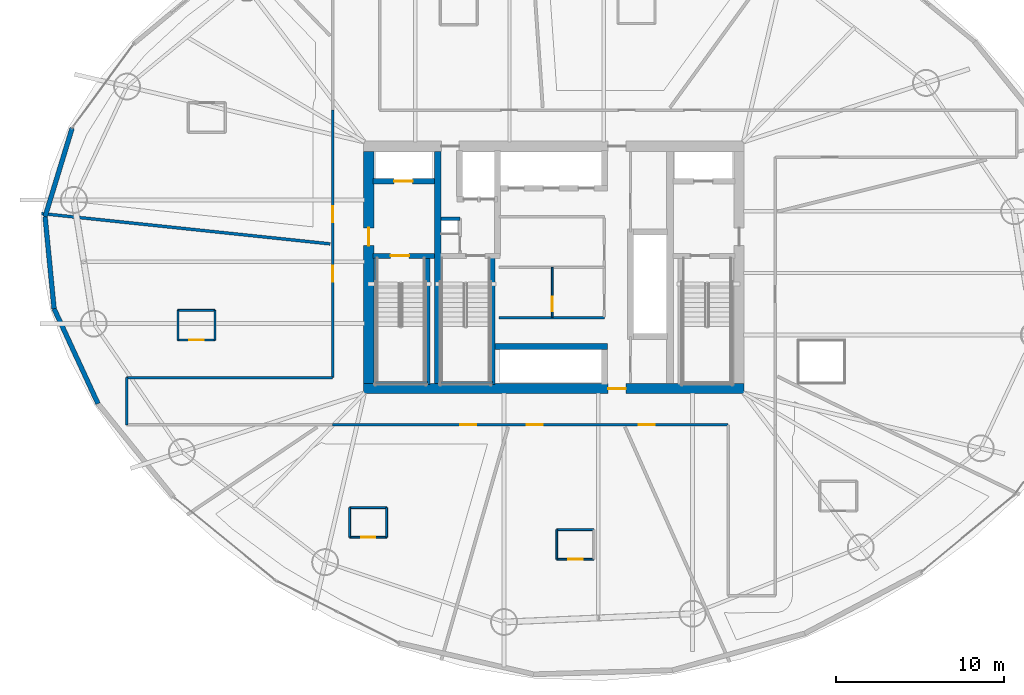
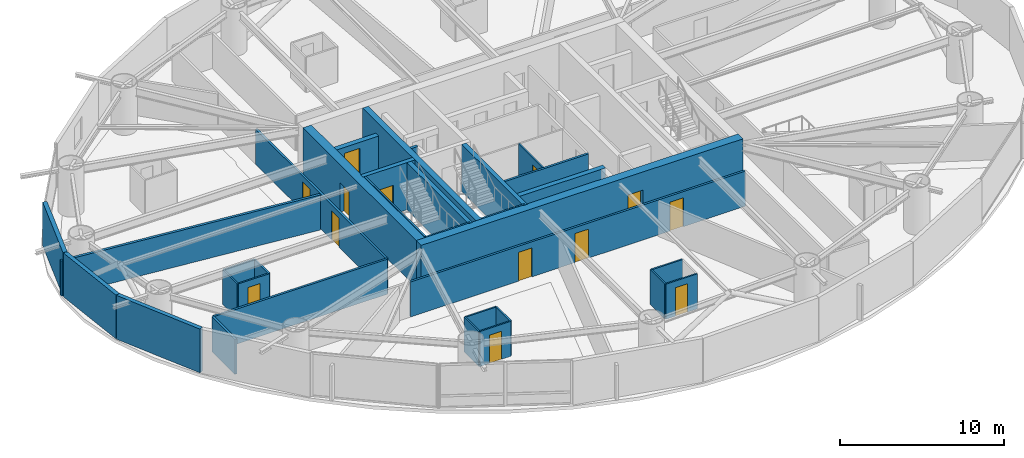
# One storey, part 14 of 20: 33 walls, 13 doors, 13 openings.
"""IFC4 building model written with IfcOpenShell, lengths in metres."""

from ifc_helpers import new_model, si_unit, direction, frame, frame_2d, origin, place, context, subcontext, project, spatial, rectangle, extrude, material, layer, layer_set, type_object, element, fill, save


model = new_model("IFC4")

# Units and contexts
model_context = context("Model", 3, precision=1e-05, world=origin(), true_north=direction((0.0, 1.0)))
body_context = subcontext(model_context, "Body", "Model", "MODEL_VIEW")
ifc_project = project(units=[si_unit("LENGTHUNIT", "METRE"), si_unit("AREAUNIT", "SQUARE_METRE"), si_unit("VOLUMEUNIT", "CUBIC_METRE"), si_unit("PLANEANGLEUNIT", "RADIAN"), si_unit("MASSUNIT", "GRAM", prefix="KILO")], contexts=[model_context])

# Site, building, storey
site_placement = place(None, origin())
site = spatial("IfcSite", under=ifc_project, at=site_placement, CompositionType="ELEMENT")
building_placement = place(site_placement, origin())
building = spatial("IfcBuilding", under=site, at=building_placement, Name="Bramvorn Convention Spire", CompositionType="ELEMENT")
storey_placement = place(building_placement, frame((0.0, 0.0, 58.89990234375)))
storey = spatial("IfcBuildingStorey", under=building, at=storey_placement, Name="L12", CompositionType="ELEMENT", Elevation=58.89990234375)

# Wall, opening, door
ifc_material_1 = material(Name="Concrete C60/70", Category="concrete")
ifc_layer_1 = layer(ifc_material_1, 0.60009765625)
ifc_layer_set_1 = layer_set([ifc_layer_1], Name="Concrete C60/70 - WL-CORE-600")
wall_type_1 = type_object("IfcWallType", Name="WL-CORE-600", PredefinedType="SHEAR", material=ifc_layer_set_1)
wall_1_placement = place(storey_placement, frame((26.699951171875, 18.800048828125, 0.0), z_axis=(0.0, 0.0, 1.0), x_axis=(1.0, 0.0, 0.0)))
wall_1 = element("IfcWall", 1, at=wall_1_placement, inside=storey, type_object=wall_type_1, Name="L12 South RC core shear wall", PredefinedType="SHEAR", context=body_context, shape_type="SweptSolid", body=[
    extrude(rectangle(XDim=22.60009765625, YDim=0.60009765625, at=frame_2d((11.300048828125, 0.0))), origin(), (0.0, 0.0, 1.0), 3.5),
])
opening_1_placement = place(wall_1_placement, frame((14.52001953125, 0.0, 0.0)))
opening_1 = element("IfcOpeningElement", 2, at=opening_1_placement, cuts=wall_1, Name="Opening DL-105", PredefinedType="OPENING", context=body_context, shape_type="SweptSolid", body=[
    extrude(rectangle(XDim=1.050048828125, YDim=2.14990234375, at=frame_2d((0.52490234375, 1.074951171875))), frame((0.0, 0.31005859375, 0.0), z_axis=(0.0, -1.0, 0.0), x_axis=(1.0, 0.0, 0.0)), (0.0, 0.0, 1.0), 0.6201171875),
])
ifc_material_2 = material(Name="Smoke-Sealed Fire Lobby Timber-Core Door", Category="wood")
door_type_1 = type_object("IfcDoorType", Name="DR-LOBBY-1050", OperationType="NOTDEFINED", PredefinedType="DOOR", material=ifc_material_2)
door_1_placement = place(opening_1_placement, origin())
door_1 = element("IfcDoor", 3, at=door_1_placement, inside=storey, type_object=door_type_1, Name="L12 South Lift Lobby fire door", OperationType="SINGLE_SWING_RIGHT", OverallHeight=2.14990234375, OverallWidth=1.050048828125, PredefinedType="DOOR", context=body_context, shape_type="SweptSolid", body=[
    extrude(rectangle(XDim=1.050048828125, YDim=2.14990234375, at=frame_2d((0.52490234375, 1.074951171875))), frame((0.0, 0.02490234375, 0.0), z_axis=(0.0, -1.0, 0.0), x_axis=(1.0, 0.0, 0.0)), (0.0, 0.0, 1.0), 0.050048828125),
])
fill(opening_1, door_1)

wall_2_placement = place(storey_placement, frame((27.0, 19.10009765625, 0.0), z_axis=(0.0, 0.0, 1.0), x_axis=(0.0, 1.0, 0.0)))
wall_2 = element("IfcWall", 4, at=wall_2_placement, inside=storey, type_object=wall_type_1, Name="L12 West RC core shear wall", PredefinedType="SHEAR", context=body_context, shape_type="SweptSolid", body=[
    extrude(rectangle(XDim=13.7998046875, YDim=0.60009765625, at=frame_2d((6.89990234375, 0.0))), origin(), (0.0, 0.0, 1.0), 3.5),
])
opening_2_placement = place(wall_2_placement, frame((8.199951171875, 0.0, 0.0)))
opening_2 = element("IfcOpeningElement", 5, at=opening_2_placement, cuts=wall_2, Name="Opening DL-105", PredefinedType="OPENING", context=body_context, shape_type="SweptSolid", body=[
    extrude(rectangle(XDim=1.050048828125, YDim=2.14990234375, at=frame_2d((0.52490234375, 1.074951171875))), frame((0.0, 0.31005859375, 0.0), z_axis=(0.0, -1.0, 0.0), x_axis=(1.0, 0.0, 0.0)), (0.0, 0.0, 1.0), 0.6201171875),
])
door_2_placement = place(opening_2_placement, origin())
door_2 = element("IfcDoor", 6, at=door_2_placement, inside=storey, type_object=door_type_1, Name="L12 West Firefighting Lobby corridor door", OperationType="SINGLE_SWING_RIGHT", OverallHeight=2.14990234375, OverallWidth=1.050048828125, PredefinedType="DOOR", context=body_context, shape_type="SweptSolid", body=[
    extrude(rectangle(XDim=1.050048828125, YDim=2.14990234375, at=frame_2d((0.52490234375, 1.074951171875))), frame((0.0, 0.02490234375, 0.0), z_axis=(0.0, -1.0, 0.0), x_axis=(1.0, 0.0, 0.0)), (0.0, 0.0, 1.0), 0.050048828125),
])
fill(opening_2, door_2)

ifc_material_3 = material(Name="Concrete C50/60", Category="concrete")
ifc_layer_2 = layer(ifc_material_3, 0.35009765625)
ifc_layer_set_2 = layer_set([ifc_layer_2], Name="Concrete C50/60 - WL-CORE-INT-350")
wall_type_2 = type_object("IfcWallType", Name="WL-CORE-INT-350", PredefinedType="SHEAR", material=ifc_layer_set_2)
wall_3_placement = place(storey_placement, frame((27.25, 31.1201171875, 0.0), z_axis=(0.0, 0.0, 1.0), x_axis=(1.0, 0.0, 0.0)))
wall_3 = element("IfcWall", 7, at=wall_3_placement, inside=storey, type_object=wall_type_2, Name="L12 FE1 shaft front wall", PredefinedType="SHEAR", context=body_context, shape_type="SweptSolid", body=[
    extrude(rectangle(XDim=3.669921875, YDim=0.35009765625, at=frame_2d((1.8349609375, 0.0))), origin(), (0.0, 0.0, 1.0), 2.60009765625),
])
opening_3_placement = place(wall_3_placement, frame((1.25, 0.0, 0.0)))
opening_3 = element("IfcOpeningElement", 8, at=opening_3_placement, cuts=wall_3, Name="Opening LD-110", PredefinedType="OPENING", context=body_context, shape_type="SweptSolid", body=[
    extrude(rectangle(XDim=1.10009765625, YDim=2.14990234375, at=frame_2d((0.550048828125, 1.074951171875))), frame((0.0, 0.18505859375, 0.0), z_axis=(0.0, -1.0, 0.0), x_axis=(1.0, 0.0, 0.0)), (0.0, 0.0, 1.0), 0.3701171875),
])
ifc_material_4 = material(Name="Firefighting & Service Lift Sliding Landing Door", Category="steel")
door_type_2 = type_object("IfcDoorType", Name="DR-LIFT-LD-1100", OperationType="NOTDEFINED", PredefinedType="DOOR", material=ifc_material_4)
door_3_placement = place(opening_3_placement, origin())
door_3 = element("IfcDoor", 9, at=door_3_placement, inside=storey, type_object=door_type_2, Name="L12 Lift FE1 Sliding Landing Door", OperationType="SLIDING_TO_LEFT", OverallHeight=2.14990234375, OverallWidth=1.10009765625, PredefinedType="DOOR", context=body_context, shape_type="SweptSolid", body=[
    extrude(rectangle(XDim=1.10009765625, YDim=2.14990234375, at=frame_2d((0.550048828125, 1.074951171875))), frame((0.0, 0.02490234375, 0.0), z_axis=(0.0, -1.0, 0.0), x_axis=(1.0, 0.0, 0.0)), (0.0, 0.0, 1.0), 0.050048828125),
])
fill(opening_3, door_3)

# Walls
wall_4_placement = place(storey_placement, frame((34.489990234375, 21.300048828125, 0.0), z_axis=(0.0, 0.0, 1.0), x_axis=(1.0, 0.0, 0.0)))
element("IfcWall", 10, at=wall_4_placement, inside=storey, type_object=wall_type_2, Name="L12 Mid-rise bank north landing wall", PredefinedType="SHEAR", context=body_context, shape_type="SweptSolid", body=[
    extrude(rectangle(XDim=6.679931640625, YDim=0.35009765625, at=frame_2d((3.33984375, 0.0))), origin(), (0.0, 0.0, 1.0), 2.60009765625),
])
ifc_layer_3 = layer(ifc_material_1, 0.39990234375)
ifc_layer_set_3 = layer_set([ifc_layer_3], Name="Concrete C60/70 - WL-CORE-INT-400")
wall_type_3 = type_object("IfcWallType", Name="WL-CORE-INT-400", PredefinedType="SHEAR", material=ifc_layer_set_3)
wall_5_placement = place(storey_placement, frame((31.10009765625, 19.10009765625, 0.0), z_axis=(0.0, 0.0, 1.0), x_axis=(0.0, 1.0, 0.0)))
element("IfcWall", 11, at=wall_5_placement, inside=storey, type_object=wall_type_3, Name="L12 West internal core shear web", PredefinedType="SHEAR", context=body_context, shape_type="SweptSolid", body=[
    extrude(rectangle(XDim=13.7998046875, YDim=0.39990234375, at=frame_2d((6.89990234375, 0.0))), origin(), (0.0, 0.0, 1.0), 3.5),
])
ifc_material_5 = material(Name="Precast Concrete C40/50 with Bronze Terracotta Rainscreen", Category="masonry")
ifc_layer_4 = layer(ifc_material_5, 0.300048828125)
ifc_layer_set_4 = layer_set([ifc_layer_4], Name="Precast Concrete C40/50 with Bronze Terracotta Rainscreen - WL-EXT-BRONZE-300")
wall_type_4 = type_object("IfcWallType", Name="WL-EXT-BRONZE-300", PredefinedType="SOLIDWALL", material=ifc_layer_set_4)
wall_6_placement = place(storey_placement, frame((7.770263671875, 29.017333984375, 0.0), z_axis=(0.0, 0.0, 1.0), x_axis=(0.292172276323, 0.956365704607, 0.0)))
element("IfcWall", 12, at=wall_6_placement, inside=storey, type_object=wall_type_4, Name="L12 expressed bronze Gothic lancet pier wall 12", PredefinedType="SOLIDWALL", context=body_context, shape_type="SweptSolid", body=[
    extrude(rectangle(XDim=5.49755859375, YDim=0.280029296875, at=frame_2d((2.748779296875, 0.0))), origin(), (0.0, 0.0, 1.0), 3.25),
])
wall_7_placement = place(storey_placement, frame((8.305419921875, 23.546142578125, 0.0), z_axis=(0.0, 0.0, 1.0), x_axis=(-0.097348893099, 0.995250316761, 0.0)))
element("IfcWall", 13, at=wall_7_placement, inside=storey, type_object=wall_type_4, Name="L12 expressed bronze Gothic lancet pier wall 13", PredefinedType="SOLIDWALL", context=body_context, shape_type="SweptSolid", body=[
    extrude(rectangle(XDim=5.497314453125, YDim=0.280029296875, at=frame_2d((2.74853515625, 0.0))), origin(), (0.0, 0.0, 1.0), 3.25),
])
wall_8_placement = place(storey_placement, frame((10.913330078125, 17.90771484375, 0.0), z_axis=(0.0, 0.0, 1.0), x_axis=(-0.419795716815, 0.907618618222, 0.0)))
element("IfcWall", 14, at=wall_8_placement, inside=storey, type_object=wall_type_4, Name="L12 expressed bronze Gothic lancet pier wall 14", PredefinedType="SOLIDWALL", context=body_context, shape_type="SweptSolid", body=[
    extrude(rectangle(XDim=6.21240234375, YDim=0.280029296875, at=frame_2d((3.106201171875, 0.0))), origin(), (0.0, 0.0, 1.0), 3.25),
])

# Wall, opening, door
ifc_material_6 = material(Name="Lightweight En-Suite & Wet-Wall Partition", Category="gypsum")
ifc_layer_5 = layer(ifc_material_6, 0.110107421875)
ifc_layer_set_5 = layer_set([ifc_layer_5], Name="Lightweight En-Suite & Wet-Wall Partition - WL-PART-110")
wall_type_5 = type_object("IfcWallType", Name="WL-PART-110", PredefinedType="PARTITIONING", material=ifc_layer_set_5)
wall_9_placement = place(storey_placement, frame((37.89990234375, 23.050048828125, 0.0), z_axis=(0.0, 0.0, 1.0), x_axis=(0.0, 1.0, 0.0)))
wall_9 = element("IfcWall", 15, at=wall_9_placement, inside=storey, type_object=wall_type_5, Name="L12 KA restroom subwall", PredefinedType="PARTITIONING", context=body_context, shape_type="SweptSolid", body=[
    extrude(rectangle(XDim=2.949951171875, YDim=0.110107421875, at=frame_2d((1.47509765625, 0.0))), origin(), (0.0, 0.0, 1.0), 2.60009765625),
])
opening_4_placement = place(wall_9_placement, frame((0.35009765625, 0.0, 0.0)))
opening_4 = element("IfcOpeningElement", 16, at=opening_4_placement, cuts=wall_9, Name="Opening DC-085", PredefinedType="OPENING", context=body_context, shape_type="SweptSolid", body=[
    extrude(rectangle(XDim=0.85009765625, YDim=2.10009765625, at=frame_2d((0.425048828125, 1.050048828125))), frame((0.0, 0.06494140625, 0.0), z_axis=(0.0, -1.0, 0.0), x_axis=(1.0, 0.0, 0.0)), (0.0, 0.0, 1.0), 0.130126953125),
])
ifc_material_7 = material(Name="Fire-Rated Core Washroom & IDF Door", Category="wood")
door_type_3 = type_object("IfcDoorType", Name="DR-CORE-850", OperationType="NOTDEFINED", PredefinedType="DOOR", material=ifc_material_7)
door_4_placement = place(opening_4_placement, origin())
door_4 = element("IfcDoor", 17, at=door_4_placement, inside=storey, type_object=door_type_3, Name="L12 Core IT Closet door", OperationType="SINGLE_SWING_LEFT", OverallHeight=2.10009765625, OverallWidth=0.85009765625, PredefinedType="DOOR", context=body_context, shape_type="SweptSolid", body=[
    extrude(rectangle(XDim=0.85009765625, YDim=2.10009765625, at=frame_2d((0.425048828125, 1.050048828125))), frame((0.0, 0.02490234375, 0.0), z_axis=(0.0, -1.0, 0.0), x_axis=(1.0, 0.0, 0.0)), (0.0, 0.0, 1.0), 0.050048828125),
])
fill(opening_4, door_4)

wall_10_placement = place(storey_placement, frame((15.663818359375, 21.685302734375, 0.0), z_axis=(0.0, 0.0, 1.0), x_axis=(1.0, 0.0, 0.0)))
wall_10 = element("IfcWall", 18, at=wall_10_placement, inside=storey, type_object=wall_type_5, Name="Hotel Suite 1206 en-suite south wall", PredefinedType="PARTITIONING", context=body_context, shape_type="SweptSolid", body=[
    extrude(rectangle(XDim=2.199951171875, YDim=0.110107421875, at=frame_2d((1.10009765625, 0.0))), origin(), (0.0, 0.0, 1.0), 2.60009765625),
])
opening_5_placement = place(wall_10_placement, frame((0.679931640625, 0.0, 0.0)))
opening_5 = element("IfcOpeningElement", 19, at=opening_5_placement, cuts=wall_10, Name="Opening DI-085", PredefinedType="OPENING", context=body_context, shape_type="SweptSolid", body=[
    extrude(rectangle(XDim=0.85009765625, YDim=2.10009765625, at=frame_2d((0.425048828125, 1.050048828125))), frame((0.0, 0.06494140625, 0.0), z_axis=(0.0, -1.0, 0.0), x_axis=(1.0, 0.0, 0.0)), (0.0, 0.0, 1.0), 0.130126953125),
])
ifc_material_8 = material(Name="En-Suite & Restroom Privacy Door", Category="wood")
door_type_4 = type_object("IfcDoorType", Name="DR-INT-850", OperationType="NOTDEFINED", PredefinedType="DOOR", material=ifc_material_8)
door_5_placement = place(opening_5_placement, origin())
door_5 = element("IfcDoor", 20, at=door_5_placement, inside=storey, type_object=door_type_4, Name="Hotel Suite 1206 En-Suite Bathroom door", OperationType="SINGLE_SWING_LEFT", OverallHeight=2.10009765625, OverallWidth=0.85009765625, PredefinedType="DOOR", context=body_context, shape_type="SweptSolid", body=[
    extrude(rectangle(XDim=0.85009765625, YDim=2.10009765625, at=frame_2d((0.425048828125, 1.050048828125))), frame((0.0, 0.02490234375, 0.0), z_axis=(0.0, -1.0, 0.0), x_axis=(1.0, 0.0, 0.0)), (0.0, 0.0, 1.0), 0.050048828125),
])
fill(opening_5, door_5)

# Walls
wall_11_placement = place(storey_placement, frame((15.663818359375, 23.4453125, 0.0), z_axis=(0.0, 0.0, 1.0), x_axis=(1.0, 0.0, 0.0)))
element("IfcWall", 21, at=wall_11_placement, inside=storey, type_object=wall_type_5, Name="Hotel Suite 1206 en-suite north wall", PredefinedType="PARTITIONING", context=body_context, shape_type="SweptSolid", body=[
    extrude(rectangle(XDim=2.199951171875, YDim=0.110107421875, at=frame_2d((1.10009765625, 0.0))), origin(), (0.0, 0.0, 1.0), 2.60009765625),
])
for number, where, z_axis, x_axis, name in (
    (22, (15.663818359375, 21.685302734375, 0.0), (0.0, 0.0, 1.0), (0.0, 1.0, 0.0), "Hotel Suite 1206 en-suite west wall"),
    (23, (17.86376953125, 21.685302734375, 0.0), (0.0, 0.0, 1.0), (0.0, 1.0, 0.0), "Hotel Suite 1206 en-suite east wall"),
):
    element("IfcWall", number, at=place(storey_placement, frame(where, z_axis=z_axis, x_axis=x_axis)), inside=storey, type_object=wall_type_5, Name=name, PredefinedType="PARTITIONING", context=body_context, shape_type="SweptSolid", body=[
        extrude(rectangle(XDim=1.760009765625, YDim=0.110107421875, at=frame_2d((0.8798828125, 0.0))), origin(), (0.0, 0.0, 1.0), 2.60009765625),
    ])

# Wall, opening, door
wall_12_placement = place(storey_placement, frame((25.862548828125, 9.9697265625, 0.0), z_axis=(0.0, 0.0, 1.0), x_axis=(1.0, 0.0, 0.0)))
wall_12 = element("IfcWall", 24, at=wall_12_placement, inside=storey, type_object=wall_type_5, Name="Hotel Suite 1207 en-suite south wall", PredefinedType="PARTITIONING", context=body_context, shape_type="SweptSolid", body=[
    extrude(rectangle(XDim=2.199951171875, YDim=0.110107421875, at=frame_2d((1.10009765625, 0.0))), origin(), (0.0, 0.0, 1.0), 2.60009765625),
])
opening_6_placement = place(wall_12_placement, frame((0.679931640625, 0.0, 0.0)))
opening_6 = element("IfcOpeningElement", 25, at=opening_6_placement, cuts=wall_12, Name="Opening DI-085", PredefinedType="OPENING", context=body_context, shape_type="SweptSolid", body=[
    extrude(rectangle(XDim=0.85009765625, YDim=2.10009765625, at=frame_2d((0.425048828125, 1.050048828125))), frame((0.0, 0.06494140625, 0.0), z_axis=(0.0, -1.0, 0.0), x_axis=(1.0, 0.0, 0.0)), (0.0, 0.0, 1.0), 0.130126953125),
])
door_6_placement = place(opening_6_placement, origin())
door_6 = element("IfcDoor", 26, at=door_6_placement, inside=storey, type_object=door_type_4, Name="Hotel Suite 1207 En-Suite Bathroom door", OperationType="SINGLE_SWING_LEFT", OverallHeight=2.10009765625, OverallWidth=0.85009765625, PredefinedType="DOOR", context=body_context, shape_type="SweptSolid", body=[
    extrude(rectangle(XDim=0.85009765625, YDim=2.10009765625, at=frame_2d((0.425048828125, 1.050048828125))), frame((0.0, 0.02490234375, 0.0), z_axis=(0.0, -1.0, 0.0), x_axis=(1.0, 0.0, 0.0)), (0.0, 0.0, 1.0), 0.050048828125),
])
fill(opening_6, door_6)

# Walls
wall_13_placement = place(storey_placement, frame((25.862548828125, 11.729736328125, 0.0), z_axis=(0.0, 0.0, 1.0), x_axis=(1.0, 0.0, 0.0)))
element("IfcWall", 27, at=wall_13_placement, inside=storey, type_object=wall_type_5, Name="Hotel Suite 1207 en-suite north wall", PredefinedType="PARTITIONING", context=body_context, shape_type="SweptSolid", body=[
    extrude(rectangle(XDim=2.199951171875, YDim=0.110107421875, at=frame_2d((1.10009765625, 0.0))), origin(), (0.0, 0.0, 1.0), 2.60009765625),
])
for number, where, z_axis, x_axis, name in (
    (28, (25.862548828125, 9.9697265625, 0.0), (0.0, 0.0, 1.0), (0.0, 1.0, 0.0), "Hotel Suite 1207 en-suite west wall"),
    (29, (28.0625, 9.9697265625, 0.0), (0.0, 0.0, 1.0), (0.0, 1.0, 0.0), "Hotel Suite 1207 en-suite east wall"),
):
    element("IfcWall", number, at=place(storey_placement, frame(where, z_axis=z_axis, x_axis=x_axis)), inside=storey, type_object=wall_type_5, Name=name, PredefinedType="PARTITIONING", context=body_context, shape_type="SweptSolid", body=[
        extrude(rectangle(XDim=1.760009765625, YDim=0.110107421875, at=frame_2d((0.8798828125, 0.0))), origin(), (0.0, 0.0, 1.0), 2.60009765625),
    ])

# Wall, opening, door
wall_14_placement = place(storey_placement, frame((38.17138671875, 8.663818359375, 0.0), z_axis=(0.0, 0.0, 1.0), x_axis=(1.0, 0.0, 0.0)))
wall_14 = element("IfcWall", 30, at=wall_14_placement, inside=storey, type_object=wall_type_5, Name="Hotel Suite 1208 en-suite south wall", PredefinedType="PARTITIONING", context=body_context, shape_type="SweptSolid", body=[
    extrude(rectangle(XDim=2.199951171875, YDim=0.110107421875, at=frame_2d((1.10009765625, 0.0))), origin(), (0.0, 0.0, 1.0), 2.60009765625),
])
opening_7_placement = place(wall_14_placement, frame((0.679931640625, 0.0, 0.0)))
opening_7 = element("IfcOpeningElement", 31, at=opening_7_placement, cuts=wall_14, Name="Opening DI-085", PredefinedType="OPENING", context=body_context, shape_type="SweptSolid", body=[
    extrude(rectangle(XDim=0.85009765625, YDim=2.10009765625, at=frame_2d((0.425048828125, 1.050048828125))), frame((0.0, 0.06494140625, 0.0), z_axis=(0.0, -1.0, 0.0), x_axis=(1.0, 0.0, 0.0)), (0.0, 0.0, 1.0), 0.130126953125),
])
door_7_placement = place(opening_7_placement, origin())
door_7 = element("IfcDoor", 32, at=door_7_placement, inside=storey, type_object=door_type_4, Name="Hotel Suite 1208 En-Suite Bathroom door", OperationType="SINGLE_SWING_LEFT", OverallHeight=2.10009765625, OverallWidth=0.85009765625, PredefinedType="DOOR", context=body_context, shape_type="SweptSolid", body=[
    extrude(rectangle(XDim=0.85009765625, YDim=2.10009765625, at=frame_2d((0.425048828125, 1.050048828125))), frame((0.0, 0.02490234375, 0.0), z_axis=(0.0, -1.0, 0.0), x_axis=(1.0, 0.0, 0.0)), (0.0, 0.0, 1.0), 0.050048828125),
])
fill(opening_7, door_7)

# Walls
wall_15_placement = place(storey_placement, frame((38.17138671875, 10.423583984375, 0.0), z_axis=(0.0, 0.0, 1.0), x_axis=(1.0, 0.0, 0.0)))
element("IfcWall", 33, at=wall_15_placement, inside=storey, type_object=wall_type_5, Name="Hotel Suite 1208 en-suite north wall", PredefinedType="PARTITIONING", context=body_context, shape_type="SweptSolid", body=[
    extrude(rectangle(XDim=2.199951171875, YDim=0.110107421875, at=frame_2d((1.10009765625, 0.0))), origin(), (0.0, 0.0, 1.0), 2.60009765625),
])
wall_16_placement = place(storey_placement, frame((38.17138671875, 8.663818359375, 0.0), z_axis=(0.0, 0.0, 1.0), x_axis=(0.0, 1.0, 0.0)))
element("IfcWall", 34, at=wall_16_placement, inside=storey, type_object=wall_type_5, Name="Hotel Suite 1208 en-suite west wall", PredefinedType="PARTITIONING", context=body_context, shape_type="SweptSolid", body=[
    extrude(rectangle(XDim=1.759765625, YDim=0.110107421875, at=frame_2d((0.8798828125, 0.0))), origin(), (0.0, 0.0, 1.0), 2.60009765625),
])
ifc_material_9 = material(Name="Acoustic Metal-Stud Tenant/Corridor Partition", Category="gypsum")
ifc_layer_6 = layer(ifc_material_9, 0.14990234375)
ifc_layer_set_6 = layer_set([ifc_layer_6], Name="Acoustic Metal-Stud Tenant/Corridor Partition - WL-PART-150")
wall_type_6 = type_object("IfcWallType", Name="WL-PART-150", PredefinedType="PARTITIONING", material=ifc_layer_set_6)
wall_17_placement = place(storey_placement, frame((34.75, 23.0, 0.0), z_axis=(0.0, 0.0, 1.0), x_axis=(1.0, 0.0, 0.0)))
element("IfcWall", 35, at=wall_17_placement, inside=storey, type_object=wall_type_6, Name="L12 Mid-rise lift vestibule north wall", PredefinedType="PARTITIONING", context=body_context, shape_type="SweptSolid", body=[
    extrude(rectangle(XDim=6.25, YDim=0.14990234375, at=frame_2d((3.125, 0.0))), origin(), (0.0, 0.0, 1.0), 2.60009765625),
])

# Wall, openings, doors
wall_18_placement = place(storey_placement, frame((24.85009765625, 16.64990234375, 0.0), z_axis=(0.0, 0.0, 1.0), x_axis=(1.0, 0.0, 0.0)))
wall_18 = element("IfcWall", 36, at=wall_18_placement, inside=storey, type_object=wall_type_6, Name="L12 South ring corridor wall", PredefinedType="PARTITIONING", context=body_context, shape_type="SweptSolid", body=[
    extrude(rectangle(XDim=23.5, YDim=0.14990234375, at=frame_2d((11.75, 0.0))), origin(), (0.0, 0.0, 1.0), 2.60009765625),
])
opening_8_placement = place(wall_18_placement, frame((7.5732421875, 0.0, 0.0)))
opening_8 = element("IfcOpeningElement", 37, at=opening_8_placement, cuts=wall_18, Name="Opening DH-095", PredefinedType="OPENING", context=body_context, shape_type="SweptSolid", body=[
    extrude(rectangle(XDim=0.949951171875, YDim=2.14990234375, at=frame_2d((0.47509765625, 1.074951171875))), frame((0.0, 0.0849609375, 0.0), z_axis=(0.0, -1.0, 0.0), x_axis=(1.0, 0.0, 0.0)), (0.0, 0.0, 1.0), 0.169921875),
])
opening_9_placement = place(wall_18_placement, frame((11.544189453125, 0.0, 0.0)))
opening_9 = element("IfcOpeningElement", 38, at=opening_9_placement, cuts=wall_18, Name="Opening DH-095", PredefinedType="OPENING", context=body_context, shape_type="SweptSolid", body=[
    extrude(rectangle(XDim=0.949951171875, YDim=2.14990234375, at=frame_2d((0.47509765625, 1.074951171875))), frame((0.0, 0.0849609375, 0.0), z_axis=(0.0, -1.0, 0.0), x_axis=(1.0, 0.0, 0.0)), (0.0, 0.0, 1.0), 0.169921875),
])
opening_10_placement = place(wall_18_placement, frame((18.202392578125, 0.0, 0.0)))
opening_10 = element("IfcOpeningElement", 39, at=opening_10_placement, cuts=wall_18, Name="Opening DH-095", PredefinedType="OPENING", context=body_context, shape_type="SweptSolid", body=[
    extrude(rectangle(XDim=0.949951171875, YDim=2.14990234375, at=frame_2d((0.47509765625, 1.074951171875))), frame((0.0, 0.0849609375, 0.0), z_axis=(0.0, -1.0, 0.0), x_axis=(1.0, 0.0, 0.0)), (0.0, 0.0, 1.0), 0.169921875),
])
ifc_material_10 = material(Name="Solid-Core Acoustic Guestroom Entry Door", Category="wood")
door_type_5 = type_object("IfcDoorType", Name="DR-HOTEL-950", OperationType="NOTDEFINED", PredefinedType="DOOR", material=ifc_material_10)
door_8_placement = place(opening_8_placement, origin())
door_8 = element("IfcDoor", 40, at=door_8_placement, inside=storey, type_object=door_type_5, Name="Hotel Suite 1207 entry door", OperationType="SINGLE_SWING_LEFT", OverallHeight=2.14990234375, OverallWidth=0.949951171875, PredefinedType="DOOR", context=body_context, shape_type="SweptSolid", body=[
    extrude(rectangle(XDim=0.949951171875, YDim=2.14990234375, at=frame_2d((0.47509765625, 1.074951171875))), frame((0.0, 0.02490234375, 0.0), z_axis=(0.0, -1.0, 0.0), x_axis=(1.0, 0.0, 0.0)), (0.0, 0.0, 1.0), 0.050048828125),
])
fill(opening_8, door_8)
door_9_placement = place(opening_9_placement, origin())
door_9 = element("IfcDoor", 41, at=door_9_placement, inside=storey, type_object=door_type_5, Name="Hotel Suite 1208 entry door", OperationType="SINGLE_SWING_LEFT", OverallHeight=2.14990234375, OverallWidth=0.949951171875, PredefinedType="DOOR", context=body_context, shape_type="SweptSolid", body=[
    extrude(rectangle(XDim=0.949951171875, YDim=2.14990234375, at=frame_2d((0.47509765625, 1.074951171875))), frame((0.0, 0.02490234375, 0.0), z_axis=(0.0, -1.0, 0.0), x_axis=(1.0, 0.0, 0.0)), (0.0, 0.0, 1.0), 0.050048828125),
])
fill(opening_9, door_9)
door_10_placement = place(opening_10_placement, origin())
door_10 = element("IfcDoor", 42, at=door_10_placement, inside=storey, type_object=door_type_5, Name="Hotel Suite 1209 entry door", OperationType="SINGLE_SWING_RIGHT", OverallHeight=2.14990234375, OverallWidth=0.949951171875, PredefinedType="DOOR", context=body_context, shape_type="SweptSolid", body=[
    extrude(rectangle(XDim=0.949951171875, YDim=2.14990234375, at=frame_2d((0.47509765625, 1.074951171875))), frame((0.0, 0.02490234375, 0.0), z_axis=(0.0, -1.0, 0.0), x_axis=(1.0, 0.0, 0.0)), (0.0, 0.0, 1.0), 0.050048828125),
])
fill(opening_10, door_10)

wall_19_placement = place(storey_placement, frame((24.85009765625, 19.449951171875, 0.0), z_axis=(0.0, 0.0, 1.0), x_axis=(0.0, 1.0, 0.0)))
wall_19 = element("IfcWall", 43, at=wall_19_placement, inside=storey, type_object=wall_type_6, Name="L12 West ring corridor wall", PredefinedType="PARTITIONING", context=body_context, shape_type="SweptSolid", body=[
    extrude(rectangle(XDim=15.900146484375, YDim=0.14990234375, at=frame_2d((7.9501953125, 0.0))), origin(), (0.0, 0.0, 1.0), 2.60009765625),
])
opening_11_placement = place(wall_19_placement, frame((9.236083984375, 0.0, 0.0)))
opening_11 = element("IfcOpeningElement", 44, at=opening_11_placement, cuts=wall_19, Name="Opening DH-095", PredefinedType="OPENING", context=body_context, shape_type="SweptSolid", body=[
    extrude(rectangle(XDim=0.949951171875, YDim=2.14990234375, at=frame_2d((0.47509765625, 1.074951171875))), frame((0.0, 0.0849609375, 0.0), z_axis=(0.0, -1.0, 0.0), x_axis=(1.0, 0.0, 0.0)), (0.0, 0.0, 1.0), 0.169921875),
])
opening_12_placement = place(wall_19_placement, frame((5.705810546875, 0.0, 0.0)))
opening_12 = element("IfcOpeningElement", 45, at=opening_12_placement, cuts=wall_19, Name="Opening DH-095", PredefinedType="OPENING", context=body_context, shape_type="SweptSolid", body=[
    extrude(rectangle(XDim=0.949951171875, YDim=2.14990234375, at=frame_2d((0.47509765625, 1.074951171875))), frame((0.0, 0.0849609375, 0.0), z_axis=(0.0, -1.0, 0.0), x_axis=(1.0, 0.0, 0.0)), (0.0, 0.0, 1.0), 0.169921875),
])
door_11_placement = place(opening_11_placement, origin())
door_11 = element("IfcDoor", 46, at=door_11_placement, inside=storey, type_object=door_type_5, Name="Hotel Suite 1205 entry door", OperationType="SINGLE_SWING_RIGHT", OverallHeight=2.14990234375, OverallWidth=0.949951171875, PredefinedType="DOOR", context=body_context, shape_type="SweptSolid", body=[
    extrude(rectangle(XDim=0.949951171875, YDim=2.14990234375, at=frame_2d((0.47509765625, 1.074951171875))), frame((0.0, 0.02490234375, 0.0), z_axis=(0.0, -1.0, 0.0), x_axis=(1.0, 0.0, 0.0)), (0.0, 0.0, 1.0), 0.050048828125),
])
fill(opening_11, door_11)
door_12_placement = place(opening_12_placement, origin())
door_12 = element("IfcDoor", 47, at=door_12_placement, inside=storey, type_object=door_type_5, Name="Hotel Suite 1206 entry door", OperationType="SINGLE_SWING_RIGHT", OverallHeight=2.14990234375, OverallWidth=0.949951171875, PredefinedType="DOOR", context=body_context, shape_type="SweptSolid", body=[
    extrude(rectangle(XDim=0.949951171875, YDim=2.14990234375, at=frame_2d((0.47509765625, 1.074951171875))), frame((0.0, 0.02490234375, 0.0), z_axis=(0.0, -1.0, 0.0), x_axis=(1.0, 0.0, 0.0)), (0.0, 0.0, 1.0), 0.050048828125),
])
fill(opening_12, door_12)

# Walls
wall_20_placement = place(storey_placement, frame((12.621337890625, 19.449951171875, 0.0), z_axis=(0.0, 0.0, 1.0), x_axis=(1.0, 0.0, 0.0)))
element("IfcWall", 48, at=wall_20_placement, inside=storey, type_object=wall_type_6, Name="L12 SW pinwheel wing north wall", PredefinedType="PARTITIONING", context=body_context, shape_type="SweptSolid", body=[
    extrude(rectangle(XDim=12.228759765625, YDim=0.14990234375, at=frame_2d((6.1142578125, 0.0))), origin(), (0.0, 0.0, 1.0), 2.60009765625),
])
wall_21_placement = place(storey_placement, frame((12.621337890625, 16.64990234375, 0.0), z_axis=(0.0, 0.0, 1.0), x_axis=(0.0, 1.0, 0.0)))
element("IfcWall", 49, at=wall_21_placement, inside=storey, type_object=wall_type_6, Name="L12 SW pinwheel end wall", PredefinedType="PARTITIONING", context=body_context, shape_type="SweptSolid", body=[
    extrude(rectangle(XDim=2.800048828125, YDim=0.14990234375, at=frame_2d((1.39990234375, 0.0))), origin(), (0.0, 0.0, 1.0), 2.60009765625),
])
ifc_material_11 = material(Name="Double-Stud Acoustic Hotel/Suite Partition", Category="gypsum")
ifc_layer_7 = layer(ifc_material_11, 0.175048828125)
ifc_layer_set_7 = layer_set([ifc_layer_7], Name="Double-Stud Acoustic Hotel/Suite Partition - WL-PART-175")
wall_type_7 = type_object("IfcWallType", Name="WL-PART-175", PredefinedType="PARTITIONING", material=ifc_layer_set_7)
wall_22_placement = place(storey_placement, frame((24.7099609375, 27.396728515625, 0.0), z_axis=(0.0, 0.0, 1.0), x_axis=(-0.994520563906, 0.104541130512, 0.0)))
element("IfcWall", 50, at=wall_22_placement, inside=storey, type_object=wall_type_7, Name="L12 Guestroom demising wall 5", PredefinedType="PARTITIONING", context=body_context, shape_type="SweptSolid", body=[
    extrude(rectangle(XDim=17.251220703125, YDim=0.175048828125, at=frame_2d((8.62548828125, 0.0))), origin(), (0.0, 0.0, 1.0), 2.60009765625),
])
ifc_material_12 = material(Name="Gypsum Shaftwall & Rockwool Core Partition", Category="gypsum")
ifc_layer_8 = layer(ifc_material_12, 0.199951171875)
ifc_layer_set_8 = layer_set([ifc_layer_8], Name="Gypsum Shaftwall & Rockwool Core Partition - WL-PART-200-FR")
wall_type_8 = type_object("IfcWallType", Name="WL-PART-200-FR", PredefinedType="PARTITIONING", material=ifc_layer_set_8)
wall_23_placement = place(storey_placement, frame((31.300048828125, 28.89990234375, 0.0), z_axis=(0.0, 0.0, 1.0), x_axis=(1.0, 0.0, 0.0)))
element("IfcWall", 51, at=wall_23_placement, inside=storey, type_object=wall_type_8, Name="L12 Telecom riser north wall", PredefinedType="PARTITIONING", context=body_context, shape_type="SweptSolid", body=[
    extrude(rectangle(XDim=1.119873046875, YDim=0.199951171875, at=frame_2d((0.56005859375, 0.0))), origin(), (0.0, 0.0, 1.0), 2.60009765625),
])

# Wall, opening, door
ifc_layer_9 = layer(ifc_material_3, 0.300048828125)
ifc_layer_set_9 = layer_set([ifc_layer_9], Name="Concrete C50/60 - WL-POD-STAIR-300")
wall_type_9 = type_object("IfcWallType", Name="WL-POD-STAIR-300", PredefinedType="SHEAR", material=ifc_layer_set_9)
wall_24_placement = place(storey_placement, frame((27.25, 26.68994140625, 0.0), z_axis=(0.0, 0.0, 1.0), x_axis=(1.0, 0.0, 0.0)))
wall_24 = element("IfcWall", 52, at=wall_24_placement, inside=storey, type_object=wall_type_9, Name="L12 ST1 north fire wall", PredefinedType="SHEAR", context=body_context, shape_type="SweptSolid", body=[
    extrude(rectangle(XDim=3.669921875, YDim=0.300048828125, at=frame_2d((1.8349609375, 0.0))), origin(), (0.0, 0.0, 1.0), 3.5),
])
opening_13_placement = place(wall_24_placement, frame((1.050048828125, 0.0, 0.0)))
opening_13 = element("IfcOpeningElement", 53, at=opening_13_placement, cuts=wall_24, Name="Opening DS-110", PredefinedType="OPENING", context=body_context, shape_type="SweptSolid", body=[
    extrude(rectangle(XDim=1.10009765625, YDim=2.14990234375, at=frame_2d((0.550048828125, 1.074951171875))), frame((0.0, 0.159912109375, 0.0), z_axis=(0.0, -1.0, 0.0), x_axis=(1.0, 0.0, 0.0)), (0.0, 0.0, 1.0), 0.320068359375),
])
ifc_material_13 = material(Name="Fire-Rated Hollow Steel Stairwell Door", Category="steel")
door_type_6 = type_object("IfcDoorType", Name="DR-STAIR-1100", OperationType="NOTDEFINED", PredefinedType="DOOR", material=ifc_material_13)
door_13_placement = place(opening_13_placement, origin())
door_13 = element("IfcDoor", 54, at=door_13_placement, inside=storey, type_object=door_type_6, Name="L12 Stair ST1 fire door", OperationType="SINGLE_SWING_LEFT", OverallHeight=2.14990234375, OverallWidth=1.10009765625, PredefinedType="DOOR", context=body_context, shape_type="SweptSolid", body=[
    extrude(rectangle(XDim=1.10009765625, YDim=2.14990234375, at=frame_2d((0.550048828125, 1.074951171875))), frame((0.0, 0.02490234375, 0.0), z_axis=(0.0, -1.0, 0.0), x_axis=(1.0, 0.0, 0.0)), (0.0, 0.0, 1.0), 0.050048828125),
])
fill(opening_13, door_13)

# Walls
for number, where, z_axis, x_axis, name in (
    (55, (30.489990234375, 19.050048828125, 0.0), (0.0, 0.0, 1.0), (0.0, 1.0, 0.0), "L12 ST1 east bearing wall"),
    (56, (34.340087890625, 19.050048828125, 0.0), (0.0, 0.0, 1.0), (0.0, 1.0, 0.0), "L12 ST3 east bearing wall"),
):
    element("IfcWall", number, at=place(storey_placement, frame(where, z_axis=z_axis, x_axis=x_axis)), inside=storey, type_object=wall_type_9, Name=name, PredefinedType="SHEAR", context=body_context, shape_type="SweptSolid", body=[
        extrude(rectangle(XDim=7.5, YDim=0.300048828125, at=frame_2d((3.75, 0.0))), origin(), (0.0, 0.0, 1.0), 3.5),
    ])
ifc_layer_10 = layer(ifc_material_3, 0.1201171875)
ifc_layer_set_10 = layer_set([ifc_layer_10], Name="Concrete C50/60 - WL-STAIR-RC-120")
wall_type_10 = type_object("IfcWallType", Name="WL-STAIR-RC-120", PredefinedType="SHEAR", material=ifc_layer_set_10)
wall_25_placement = place(storey_placement, frame((27.39501953125, 19.10009765625, 0.0), z_axis=(0.0, 0.0, 1.0), x_axis=(0.0, 1.0, 0.0)))
element("IfcWall", 57, at=wall_25_placement, inside=storey, type_object=wall_type_10, Name="L12 ST1 west bearing shear wall", PredefinedType="SHEAR", context=body_context, shape_type="SweptSolid", body=[
    extrude(rectangle(XDim=7.449951171875, YDim=0.1201171875, at=frame_2d((3.72509765625, 0.0))), origin(), (0.0, 0.0, 1.0), 3.5),
])
wall_26_placement = place(storey_placement, frame((27.39501953125, 19.159912109375, 0.0), z_axis=(0.0, 0.0, 1.0), x_axis=(1.0, 0.0, 0.0)))
element("IfcWall", 58, at=wall_26_placement, inside=storey, type_object=wall_type_10, Name="L12 ST1 south bearing shear wall", PredefinedType="SHEAR", context=body_context, shape_type="SweptSolid", body=[
    extrude(rectangle(XDim=3.094970703125, YDim=0.1201171875, at=frame_2d((1.54736328125, 0.0))), origin(), (0.0, 0.0, 1.0), 3.5),
])
wall_27_placement = place(storey_placement, frame((31.300048828125, 19.159912109375, 0.0), z_axis=(0.0, 0.0, 1.0), x_axis=(1.0, 0.0, 0.0)))
element("IfcWall", 59, at=wall_27_placement, inside=storey, type_object=wall_type_10, Name="L12 ST3 south bearing shear wall", PredefinedType="SHEAR", context=body_context, shape_type="SweptSolid", body=[
    extrude(rectangle(XDim=3.0400390625, YDim=0.1201171875, at=frame_2d((1.52001953125, 0.0))), origin(), (0.0, 0.0, 1.0), 3.5),
])

save(model, "model.ifc")
